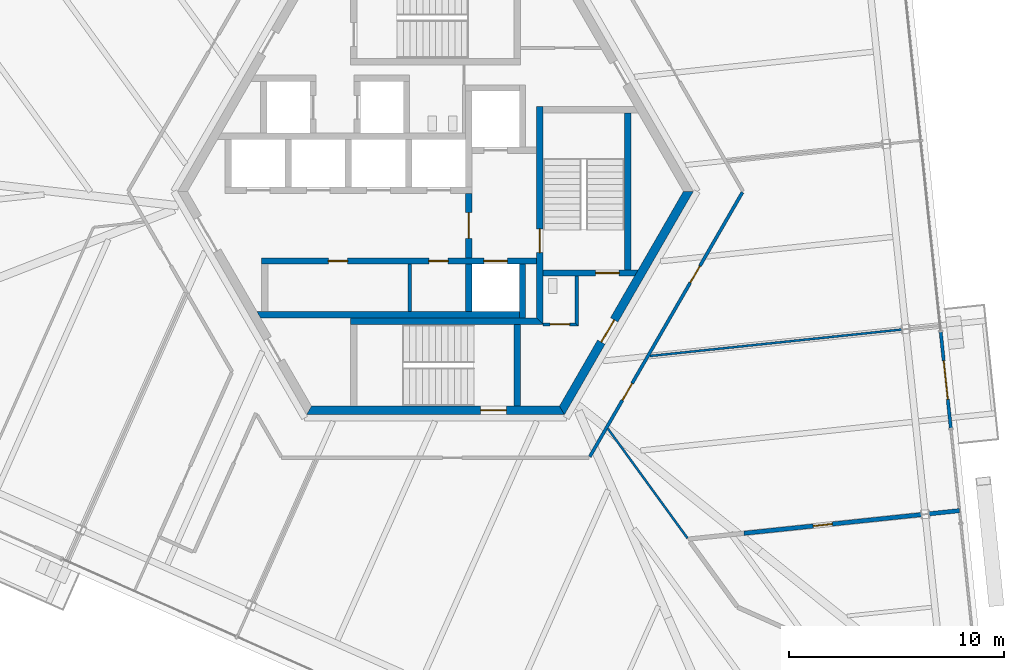
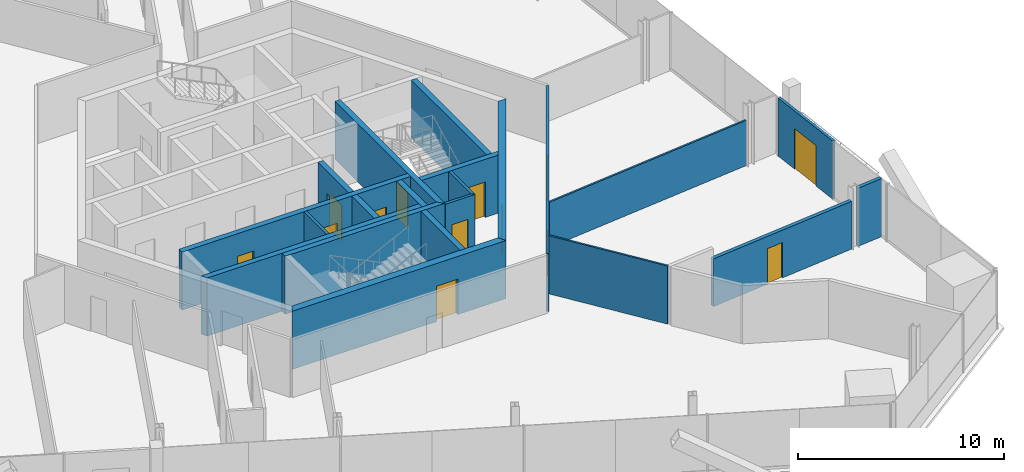
# One storey, part 11 of 17: 21 walls, 13 doors, 13 openings.
"""IFC4 building model written with IfcOpenShell, lengths in metres."""

from ifc_helpers import new_model, si_unit, direction, frame, frame_2d, origin, place, context, subcontext, project, spatial, polyline, rectangle, outline, extrude, source, transform, mapped, material, layer, layer_set, type_object, element, fill, save


model = new_model("IFC4")

# Units and contexts
model_context = context("Model", 3, precision=1e-05, world=origin(), true_north=direction((0.0, 1.0)))
body_context = subcontext(model_context, "Body", "Model", "MODEL_VIEW")
ifc_project = project(units=[si_unit("LENGTHUNIT", "METRE"), si_unit("AREAUNIT", "SQUARE_METRE"), si_unit("VOLUMEUNIT", "CUBIC_METRE"), si_unit("PLANEANGLEUNIT", "RADIAN"), si_unit("MASSUNIT", "GRAM", prefix="KILO")], contexts=[model_context])

# Site, building, storey
site_placement = place(None, origin())
site = spatial("IfcSite", under=ifc_project, at=site_placement, CompositionType="ELEMENT")
building_placement = place(site_placement, origin())
building = spatial("IfcBuilding", under=site, at=building_placement, Name="Triune Harvest Tower", CompositionType="ELEMENT")
storey_placement = place(building_placement, frame((0.0, 0.0, 62.10009765625)))
storey = spatial("IfcBuildingStorey", under=building, at=storey_placement, Name="L14", CompositionType="ELEMENT", Elevation=62.10009765625)

# Wall, opening, door
ifc_material_1 = material(Name="Gypsum board on steel studs", Category="steel")
ifc_layer_1 = layer(ifc_material_1, 0.199951171875)
ifc_layer_set_1 = layer_set([ifc_layer_1], Name="Gypsum board on steel studs")
wall_type_1 = type_object("IfcWallType", Name="Fire Wall 200 mm", PredefinedType="PARTITIONING", material=ifc_layer_set_1)
wall_1_placement = place(storey_placement, frame((14.355712890625, -15.910888671875, 0.0), z_axis=(0.0, 0.0, 1.0), x_axis=(0.994522219063, 0.104525383476, 0.0)))
wall_1 = element("IfcWall", 1, at=wall_1_placement, inside=storey, type_object=wall_type_1, Name="Partition L14 022a", PredefinedType="PARTITIONING", context=body_context, shape_type="SweptSolid", body=[
    extrude(rectangle(XDim=8.291748046875, YDim=0.199951171875, at=frame_2d((4.14599609375, 0.0))), origin(), (0.0, 0.0, 1.0), 2.82763671875),
])
opening_1_placement = place(wall_1_placement, frame((3.23828125, 0.0, 0.0)))
opening_1 = element("IfcOpeningElement", 2, at=opening_1_placement, cuts=wall_1, Name="Opening L14-001", PredefinedType="OPENING", context=body_context, shape_type="SweptSolid", body=[
    extrude(rectangle(XDim=0.89990234375, YDim=2.10009765625, at=frame_2d((0.449951171875, 1.050048828125))), frame((0.0, 0.10986328125, 0.0), z_axis=(0.0, -1.0, 0.0), x_axis=(1.0, 0.0, 0.0)), (0.0, 0.0, 1.0), 0.219970703125),
])
ifc_material_2 = material(Name="Timber and steel door set", Category="steel")
door_type_1 = type_object("IfcDoorType", Name="Single leaf door FD60 left hand 900 x 2100", OperationType="SINGLE_SWING_LEFT", PredefinedType="DOOR", material=ifc_material_2)
door_1_placement = place(opening_1_placement, origin())
door_1 = element("IfcDoor", 3, at=door_1_placement, inside=storey, type_object=door_type_1, Name="Door L14-001 Commercial Trial Kitchen 14.01", OperationType="SINGLE_SWING_LEFT", OverallHeight=2.10009765625, OverallWidth=0.89990234375, PredefinedType="DOOR", context=body_context, shape_type="SweptSolid", body=[
    extrude(rectangle(XDim=0.89990234375, YDim=2.10009765625, at=frame_2d((0.449951171875, 1.050048828125))), frame((0.0, 0.02490234375, 0.0), z_axis=(0.0, -1.0, 0.0), x_axis=(1.0, 0.0, 0.0)), (0.0, 0.0, 1.0), 0.050048828125),
])
fill(opening_1, door_1)

# Wall
ifc_material_3 = material(Name="Gypsum board on steel studs", Category="steel")
ifc_layer_2 = layer(ifc_material_3, 0.10009765625)
ifc_layer_set_2 = layer_set([ifc_layer_2], Name="Gypsum board on steel studs")
wall_type_2 = type_object("IfcWallType", Name="Partition 100 mm", PredefinedType="PARTITIONING", material=ifc_layer_set_2)
wall_2_placement = place(storey_placement, frame((9.979736328125, -7.660888671875, 0.0), z_axis=(0.0, 0.0, 1.0), x_axis=(0.994522245338, 0.10452513347, 0.0)))
element("IfcWall", 4, at=wall_2_placement, inside=storey, type_object=wall_type_2, Name="Partition L14 024", PredefinedType="PARTITIONING", context=body_context, shape_type="SweptSolid", body=[
    extrude(rectangle(XDim=11.78125, YDim=0.10009765625, at=frame_2d((5.890625, 0.0))), origin(), (0.0, 0.0, 1.0), 2.682861328125),
])

# Wall, opening, door
ifc_material_4 = material(Name="Concrete 70 MPa", Category="concrete")
ifc_layer_3 = layer(ifc_material_4, 0.39990234375)
ifc_layer_set_3 = layer_set([ifc_layer_3], Name="Concrete 70 MPa")
wall_type_3 = type_object("IfcWallType", Name="Core wall 400", PredefinedType="SHEAR", material=ifc_layer_set_3)
shared_shape_1 = source(origin(), body_context, "Body", "SweptSolid", [
    extrude(outline(polyline([(-0.115478515625, -0.199951171875), (11.884521484375, -0.199951171875), (11.653564453125, 0.199951171875), (0.115478515625, 0.199951171875), (-0.115478515625, -0.199951171875)])), origin(), (0.0, 0.0, 1.0), 3.43994140625),
])
wall_3_placement = place(storey_placement, frame((-5.884521484375, -10.1923828125, 0.0), z_axis=(0.0, 0.0, 1.0), x_axis=(1.0, 0.0, 0.0)))
wall_3 = element("IfcWall", 5, at=wall_3_placement, inside=storey, type_object=wall_type_3, Name="Hexagon 4 wall", PredefinedType="SHEAR", context=body_context, shape_type="MappedRepresentation", body=[
    mapped(shared_shape_1, transform((0.0, 0.0, 0.0), scale=1.0)),
])
opening_2_placement = place(wall_3_placement, frame((7.984619140625, 0.0, 0.0)))
opening_2 = element("IfcOpeningElement", 6, at=opening_2_placement, cuts=wall_3, Name="Opening CD-S2P", PredefinedType="OPENING", context=body_context, shape_type="SweptSolid", body=[
    extrude(rectangle(XDim=1.199951171875, YDim=2.10009765625, at=frame_2d((0.60009765625, 1.050048828125))), frame((0.0, 0.2099609375, 0.0), z_axis=(0.0, -1.0, 0.0), x_axis=(1.0, 0.0, 0.0)), (0.0, 0.0, 1.0), 0.419921875),
])
ifc_material_5 = material(Name="Steel S235", Category="steel")
door_type_2 = type_object("IfcDoorType", Name="Stair door 1200 FD120", OperationType="SINGLE_SWING_LEFT", PredefinedType="DOOR", material=ifc_material_5)
door_2_placement = place(opening_2_placement, frame((1.199951171875, 0.0, 0.0), z_axis=(0.0, 0.0, 1.0), x_axis=(-1.0, 0.0, 0.0)))
door_2 = element("IfcDoor", 7, at=door_2_placement, inside=storey, type_object=door_type_2, Name="Door CD-S2P", OperationType="SINGLE_SWING_RIGHT", OverallHeight=2.10009765625, OverallWidth=1.199951171875, PredefinedType="DOOR", context=body_context, shape_type="SweptSolid", body=[
    extrude(rectangle(XDim=1.199951171875, YDim=2.10009765625, at=frame_2d((0.60009765625, 1.050048828125))), frame((0.0, 0.02490234375, 0.0), z_axis=(0.0, -1.0, 0.0), x_axis=(1.0, 0.0, 0.0)), (0.0, 0.0, 1.0), 0.050048828125),
])
fill(opening_2, door_2)

wall_4_placement = place(storey_placement, frame((5.884521484375, -10.1923828125, 0.0), z_axis=(0.0, 0.0, 1.0), x_axis=(0.499996592174, 0.866027371285, 0.0)))
wall_4 = element("IfcWall", 8, at=wall_4_placement, inside=storey, type_object=wall_type_3, Name="Hexagon 5 wall", PredefinedType="SHEAR", context=body_context, shape_type="MappedRepresentation", body=[
    mapped(shared_shape_1, transform((0.0, 0.0, 0.0), scale=1.0)),
])
opening_3_placement = place(wall_4_placement, frame((3.66455078125, 0.0, 0.0)))
opening_3 = element("IfcOpeningElement", 9, at=opening_3_placement, cuts=wall_4, Name="Opening CD-DP", PredefinedType="OPENING", context=body_context, shape_type="SweptSolid", body=[
    extrude(rectangle(XDim=1.199951171875, YDim=2.10009765625, at=frame_2d((0.60009765625, 1.050048828125))), frame((0.0, 0.2099609375, 0.0), z_axis=(0.0, -1.0, 0.0), x_axis=(1.0, 0.0, 0.0)), (0.0, 0.0, 1.0), 0.419921875),
])
door_3_placement = place(opening_3_placement, frame((1.199951171875, 0.0, 0.0), z_axis=(0.0, 0.0, 1.0), x_axis=(-1.0, 0.0, 0.0)))
door_3 = element("IfcDoor", 10, at=door_3_placement, inside=storey, type_object=door_type_2, Name="Door CD-DP", OperationType="SINGLE_SWING_RIGHT", OverallHeight=2.10009765625, OverallWidth=1.199951171875, PredefinedType="DOOR", context=body_context, shape_type="SweptSolid", body=[
    extrude(rectangle(XDim=1.199951171875, YDim=2.10009765625, at=frame_2d((0.60009765625, 1.050048828125))), frame((0.0, 0.02490234375, 0.0), z_axis=(0.0, -1.0, 0.0), x_axis=(1.0, 0.0, 0.0)), (0.0, 0.0, 1.0), 0.050048828125),
])
fill(opening_3, door_3)

# Wall
ifc_material_6 = material(Name="Concrete 70 MPa", Category="concrete")
ifc_layer_4 = layer(ifc_material_6, 0.300048828125)
ifc_layer_set_4 = layer_set([ifc_layer_4], Name="Concrete 70 MPa")
wall_type_4 = type_object("IfcWallType", Name="Core wall 300", PredefinedType="SHEAR", material=ifc_layer_set_4)
shared_shape_2 = source(origin(), body_context, "Body", "SweptSolid", [
    extrude(rectangle(XDim=2.5, YDim=0.300048828125, at=frame_2d((1.25, 0.0))), origin(), (0.0, 0.0, 1.0), 3.43994140625),
])
wall_5_placement = place(storey_placement, frame((4.050048828125, -5.889892578125, 0.0), z_axis=(0.0, 0.0, 1.0), x_axis=(0.0, 1.0, 0.0)))
element("IfcWall", 11, at=wall_5_placement, inside=storey, type_object=wall_type_4, Name="Ff2 east wall", PredefinedType="SHEAR", context=body_context, shape_type="MappedRepresentation", body=[
    mapped(shared_shape_2, transform((0.0, 0.0, 0.0), scale=1.0)),
])

# Wall, opening, door
shared_shape_3 = source(origin(), body_context, "Body", "SweptSolid", [
    extrude(rectangle(XDim=3.0, YDim=0.300048828125, at=frame_2d((1.5, 0.0))), origin(), (0.0, 0.0, 1.0), 3.43994140625),
])
wall_6_placement = place(storey_placement, frame((1.550048828125, -3.090087890625, 0.0), z_axis=(0.0, 0.0, 1.0), x_axis=(0.0, 1.0, 0.0)))
wall_6 = element("IfcWall", 12, at=wall_6_placement, inside=storey, type_object=wall_type_4, Name="Ff lobby west wall", PredefinedType="SHEAR", context=body_context, shape_type="MappedRepresentation", body=[
    mapped(shared_shape_3, transform((0.0, 0.0, 0.0), scale=1.0)),
])
opening_4_placement = place(wall_6_placement, frame((0.89990234375, 0.0, 0.0)))
opening_4 = element("IfcOpeningElement", 13, at=opening_4_placement, cuts=wall_6, Name="Opening CD-FL", PredefinedType="OPENING", context=body_context, shape_type="SweptSolid", body=[
    extrude(rectangle(XDim=1.199951171875, YDim=2.10009765625, at=frame_2d((0.60009765625, 1.050048828125))), frame((0.0, 0.16015625, 0.0), z_axis=(0.0, -1.0, 0.0), x_axis=(1.0, 0.0, 0.0)), (0.0, 0.0, 1.0), 0.320068359375),
])
ifc_material_7 = material(Name="Steel S235", Category="steel")
door_type_3 = type_object("IfcDoorType", Name="Firefighters' lobby door 1200 FD120", OperationType="SINGLE_SWING_LEFT", PredefinedType="DOOR", material=ifc_material_7)
door_4_placement = place(opening_4_placement, frame((1.199951171875, 0.0, 0.0), z_axis=(0.0, 0.0, 1.0), x_axis=(-1.0, 0.0, 0.0)))
door_4 = element("IfcDoor", 14, at=door_4_placement, inside=storey, type_object=door_type_3, Name="Door CD-FL", OperationType="SINGLE_SWING_RIGHT", OverallHeight=2.10009765625, OverallWidth=1.199951171875, PredefinedType="DOOR", context=body_context, shape_type="SweptSolid", body=[
    extrude(rectangle(XDim=1.199951171875, YDim=2.10009765625, at=frame_2d((0.60009765625, 1.050048828125))), frame((0.0, 0.02490234375, 0.0), z_axis=(0.0, -1.0, 0.0), x_axis=(1.0, 0.0, 0.0)), (0.0, 0.0, 1.0), 0.050048828125),
])
fill(opening_4, door_4)

# Wall, openings, doors
shared_shape_4 = source(origin(), body_context, "Body", "SweptSolid", [
    extrude(rectangle(XDim=12.800048828125, YDim=0.300048828125, at=frame_2d((6.39990234375, 0.0))), origin(), (0.0, 0.0, 1.0), 3.43994140625),
])
wall_7_placement = place(storey_placement, frame((-8.10009765625, -3.239990234375, 0.0), z_axis=(0.0, 0.0, 1.0), x_axis=(1.0, 0.0, 0.0)))
wall_7 = element("IfcWall", 15, at=wall_7_placement, inside=storey, type_object=wall_type_4, Name="South front wall", PredefinedType="SHEAR", context=body_context, shape_type="MappedRepresentation", body=[
    mapped(shared_shape_4, transform((0.0, 0.0, 0.0), scale=1.0)),
])
opening_5_placement = place(wall_7_placement, frame((3.112548828125, 0.0, 0.0)))
opening_5 = element("IfcOpeningElement", 16, at=opening_5_placement, cuts=wall_7, Name="Opening CD-RS1", PredefinedType="OPENING", context=body_context, shape_type="SweptSolid", body=[
    extrude(rectangle(XDim=0.89990234375, YDim=2.10009765625, at=frame_2d((0.449951171875, 1.050048828125))), frame((0.0, 0.16015625, 0.0), z_axis=(0.0, -1.0, 0.0), x_axis=(1.0, 0.0, 0.0)), (0.0, 0.0, 1.0), 0.320068359375),
])
opening_6_placement = place(wall_7_placement, frame((7.78759765625, 0.0, 0.0)))
opening_6 = element("IfcOpeningElement", 17, at=opening_6_placement, cuts=wall_7, Name="Opening CD-RS2", PredefinedType="OPENING", context=body_context, shape_type="SweptSolid", body=[
    extrude(rectangle(XDim=0.89990234375, YDim=2.10009765625, at=frame_2d((0.449951171875, 1.050048828125))), frame((0.0, 0.16015625, 0.0), z_axis=(0.0, -1.0, 0.0), x_axis=(1.0, 0.0, 0.0)), (0.0, 0.0, 1.0), 0.320068359375),
])
opening_7_placement = place(wall_7_placement, frame((10.35009765625, 0.0, 0.0)))
opening_7 = element("IfcOpeningElement", 18, at=opening_7_placement, cuts=wall_7, Name="Opening LD-FF2-14", PredefinedType="OPENING", context=body_context, shape_type="SweptSolid", body=[
    extrude(rectangle(XDim=1.10009765625, YDim=2.10009765625, at=frame_2d((0.550048828125, 1.050048828125))), frame((0.0, 0.16015625, 0.0), z_axis=(0.0, -1.0, 0.0), x_axis=(1.0, 0.0, 0.0)), (0.0, 0.0, 1.0), 0.320068359375),
])
ifc_material_8 = material(Name="Stainless steel AISI 304", Category="steel")
door_type_4 = type_object("IfcDoorType", Name="Landing door 1100 x 2100", OperationType="DOUBLE_DOOR_SLIDING", PredefinedType="DOOR", material=ifc_material_8)
door_5_placement = place(opening_7_placement, origin())
door_5 = element("IfcDoor", 19, at=door_5_placement, inside=storey, type_object=door_type_4, Name="Door LD-FF2-14", OperationType="DOUBLE_DOOR_SLIDING", OverallHeight=2.10009765625, OverallWidth=1.10009765625, PredefinedType="DOOR", context=body_context, shape_type="SweptSolid", body=[
    extrude(rectangle(XDim=1.10009765625, YDim=2.10009765625, at=frame_2d((0.550048828125, 1.050048828125))), frame((0.0, 0.02490234375, 0.0), z_axis=(0.0, -1.0, 0.0), x_axis=(1.0, 0.0, 0.0)), (0.0, 0.0, 1.0), 0.050048828125),
])
fill(opening_7, door_5)
ifc_material_9 = material(Name="Steel S235", Category="steel")
door_type_5 = type_object("IfcDoorType", Name="Riser door 900 FD120", OperationType="SINGLE_SWING_LEFT", PredefinedType="DOOR", material=ifc_material_9)
door_6_placement = place(opening_5_placement, origin())
door_6 = element("IfcDoor", 20, at=door_6_placement, inside=storey, type_object=door_type_5, Name="Door CD-RS1", OperationType="SINGLE_SWING_LEFT", OverallHeight=2.10009765625, OverallWidth=0.89990234375, PredefinedType="DOOR", context=body_context, shape_type="SweptSolid", body=[
    extrude(rectangle(XDim=0.89990234375, YDim=2.10009765625, at=frame_2d((0.449951171875, 1.050048828125))), frame((0.0, 0.02490234375, 0.0), z_axis=(0.0, -1.0, 0.0), x_axis=(1.0, 0.0, 0.0)), (0.0, 0.0, 1.0), 0.050048828125),
])
fill(opening_5, door_6)
door_7_placement = place(opening_6_placement, origin())
door_7 = element("IfcDoor", 21, at=door_7_placement, inside=storey, type_object=door_type_5, Name="Door CD-RS2", OperationType="SINGLE_SWING_LEFT", OverallHeight=2.10009765625, OverallWidth=0.89990234375, PredefinedType="DOOR", context=body_context, shape_type="SweptSolid", body=[
    extrude(rectangle(XDim=0.89990234375, YDim=2.10009765625, at=frame_2d((0.449951171875, 1.050048828125))), frame((0.0, 0.02490234375, 0.0), z_axis=(0.0, -1.0, 0.0), x_axis=(1.0, 0.0, 0.0)), (0.0, 0.0, 1.0), 0.050048828125),
])
fill(opening_6, door_7)

# Walls
shared_shape_5 = source(origin(), body_context, "Body", "SweptSolid", [
    extrude(outline(polyline([(12.0, -0.14990234375), (-0.039794921875, -0.14990234375), (-0.212890625, 0.14990234375), (12.0, 0.14990234375), (12.0, -0.14990234375)])), origin(), (0.0, 0.0, 1.0), 3.43994140625),
])
wall_8_placement = place(storey_placement, frame((-8.10009765625, -5.739990234375, 0.0), z_axis=(0.0, 0.0, 1.0), x_axis=(1.0, 0.0, 0.0)))
element("IfcWall", 22, at=wall_8_placement, inside=storey, type_object=wall_type_4, Name="South back wall", PredefinedType="SHEAR", context=body_context, shape_type="MappedRepresentation", body=[
    mapped(shared_shape_5, transform((0.0, 0.0, 0.0), scale=1.0)),
])
shared_shape_6 = source(origin(), body_context, "Body", "SweptSolid", [
    extrude(rectangle(XDim=2.2001953125, YDim=0.300048828125, at=frame_2d((1.10009765625, 0.0))), origin(), (0.0, 0.0, 1.0), 3.43994140625),
])
wall_9_placement = place(storey_placement, frame((1.550048828125, -5.590087890625, 0.0), z_axis=(0.0, 0.0, 1.0), x_axis=(0.0, 1.0, 0.0)))
element("IfcWall", 23, at=wall_9_placement, inside=storey, type_object=wall_type_4, Name="Ff2 west wall", PredefinedType="SHEAR", context=body_context, shape_type="MappedRepresentation", body=[
    mapped(shared_shape_6, transform((0.0, 0.0, 0.0), scale=1.0)),
])

# Wall, opening, door
shared_shape_7 = source(origin(), body_context, "Body", "SweptSolid", [
    extrude(outline(polyline([(-0.14990234375, -0.14990234375), (9.989990234375, -0.14990234375), (9.989990234375, 0.14990234375), (0.14990234375, 0.14990234375), (-0.14990234375, -0.14990234375)])), origin(), (0.0, 0.0, 1.0), 3.43994140625),
])
wall_10_placement = place(storey_placement, frame((4.85009765625, -6.0400390625, 0.0), z_axis=(0.0, 0.0, 1.0), x_axis=(0.0, 1.0, 0.0)))
wall_10 = element("IfcWall", 24, at=wall_10_placement, inside=storey, type_object=wall_type_4, Name="Stair e west wall", PredefinedType="SHEAR", context=body_context, shape_type="MappedRepresentation", body=[
    mapped(shared_shape_7, transform((0.0, 0.0, 0.0), scale=1.0)),
])
opening_8_placement = place(wall_10_placement, frame((3.18994140625, 0.0, 0.0)))
opening_8 = element("IfcOpeningElement", 25, at=opening_8_placement, cuts=wall_10, Name="Opening CD-S3L", PredefinedType="OPENING", context=body_context, shape_type="SweptSolid", body=[
    extrude(rectangle(XDim=1.10009765625, YDim=2.10009765625, at=frame_2d((0.550048828125, 1.050048828125))), frame((0.0, 0.16015625, 0.0), z_axis=(0.0, -1.0, 0.0), x_axis=(1.0, 0.0, 0.0)), (0.0, 0.0, 1.0), 0.320068359375),
])
ifc_material_10 = material(Name="Steel S235", Category="steel")
door_type_6 = type_object("IfcDoorType", Name="Stair door 1100 FD120", OperationType="SINGLE_SWING_LEFT", PredefinedType="DOOR", material=ifc_material_10)
door_8_placement = place(opening_8_placement, frame((1.10009765625, 0.0, 0.0), z_axis=(0.0, 0.0, 1.0), x_axis=(-1.0, 0.0, 0.0)))
door_8 = element("IfcDoor", 26, at=door_8_placement, inside=storey, type_object=door_type_6, Name="Door CD-S3L", OperationType="SINGLE_SWING_RIGHT", OverallHeight=2.10009765625, OverallWidth=1.10009765625, PredefinedType="DOOR", context=body_context, shape_type="SweptSolid", body=[
    extrude(rectangle(XDim=1.10009765625, YDim=2.10009765625, at=frame_2d((0.550048828125, 1.050048828125))), frame((0.0, 0.02490234375, 0.0), z_axis=(0.0, -1.0, 0.0), x_axis=(1.0, 0.0, 0.0)), (0.0, 0.0, 1.0), 0.050048828125),
])
fill(opening_8, door_8)

shared_shape_8 = source(origin(), body_context, "Body", "SweptSolid", [
    extrude(outline(polyline([(0.0, -0.14990234375), (0.0, 0.14990234375), (4.43310546875, 0.14990234375), (4.260009765625, -0.14990234375), (0.0, -0.14990234375)])), origin(), (0.0, 0.0, 1.0), 3.43994140625),
])
wall_11_placement = place(storey_placement, frame((5.0, -3.800048828125, 0.0), z_axis=(0.0, 0.0, 1.0), x_axis=(1.0, 0.0, 0.0)))
wall_11 = element("IfcWall", 27, at=wall_11_placement, inside=storey, type_object=wall_type_4, Name="Stair e south wall", PredefinedType="SHEAR", context=body_context, shape_type="MappedRepresentation", body=[
    mapped(shared_shape_8, transform((0.0, 0.0, 0.0), scale=1.0)),
])
opening_9_placement = place(wall_11_placement, frame((2.449951171875, 0.0, 0.0)))
opening_9 = element("IfcOpeningElement", 28, at=opening_9_placement, cuts=wall_11, Name="Opening CD-S3D", PredefinedType="OPENING", context=body_context, shape_type="SweptSolid", body=[
    extrude(rectangle(XDim=1.10009765625, YDim=2.10009765625, at=frame_2d((0.550048828125, 1.050048828125))), frame((0.0, 0.16015625, 0.0), z_axis=(0.0, -1.0, 0.0), x_axis=(1.0, 0.0, 0.0)), (0.0, 0.0, 1.0), 0.320068359375),
])
door_9_placement = place(opening_9_placement, frame((1.10009765625, 0.0, 0.0), z_axis=(0.0, 0.0, 1.0), x_axis=(-1.0, 0.0, 0.0)))
door_9 = element("IfcDoor", 29, at=door_9_placement, inside=storey, type_object=door_type_6, Name="Door CD-S3D", OperationType="SINGLE_SWING_RIGHT", OverallHeight=2.10009765625, OverallWidth=1.10009765625, PredefinedType="DOOR", context=body_context, shape_type="SweptSolid", body=[
    extrude(rectangle(XDim=1.10009765625, YDim=2.10009765625, at=frame_2d((0.550048828125, 1.050048828125))), frame((0.0, 0.02490234375, 0.0), z_axis=(0.0, -1.0, 0.0), x_axis=(1.0, 0.0, 0.0)), (0.0, 0.0, 1.0), 0.050048828125),
])
fill(opening_9, door_9)

# Walls
shared_shape_9 = source(origin(), body_context, "Body", "SweptSolid", [
    extrude(rectangle(XDim=7.2998046875, YDim=0.300048828125, at=frame_2d((3.64990234375, 0.0))), origin(), (0.0, 0.0, 1.0), 3.43994140625),
])
wall_12_placement = place(storey_placement, frame((8.949951171875, -3.64990234375, 0.0), z_axis=(0.0, 0.0, 1.0), x_axis=(0.0, 1.0, 0.0)))
element("IfcWall", 30, at=wall_12_placement, inside=storey, type_object=wall_type_4, Name="Stair e east wall", PredefinedType="SHEAR", context=body_context, shape_type="MappedRepresentation", body=[
    mapped(shared_shape_9, transform((0.0, 0.0, 0.0), scale=1.0)),
])
shared_shape_10 = source(origin(), body_context, "Body", "SweptSolid", [
    extrude(outline(polyline([(0.0, -0.14990234375), (8.949951171875, -0.14990234375), (8.64990234375, 0.14990234375), (0.0, 0.14990234375), (0.0, -0.14990234375)])), origin(), (0.0, 0.0, 1.0), 3.43994140625),
])
wall_13_placement = place(storey_placement, frame((-3.949951171875, -6.0400390625, 0.0), z_axis=(0.0, 0.0, 1.0), x_axis=(1.0, 0.0, 0.0)))
element("IfcWall", 31, at=wall_13_placement, inside=storey, type_object=wall_type_4, Name="Stair s north wall", PredefinedType="SHEAR", context=body_context, shape_type="MappedRepresentation", body=[
    mapped(shared_shape_10, transform((0.0, 0.0, 0.0), scale=1.0)),
])
shared_shape_11 = source(origin(), body_context, "Body", "SweptSolid", [
    extrude(outline(polyline([(3.800048828125, -0.14990234375), (-0.00439453125, -0.14990234375), (-0.00439453125, 0.14990234375), (3.800048828125, 0.14990234375), (3.800048828125, -0.14990234375)])), origin(), (0.0, 0.0, 1.0), 3.43994140625),
])
wall_14_placement = place(storey_placement, frame((3.800048828125, -9.989990234375, 0.0), z_axis=(0.0, 0.0, 1.0), x_axis=(0.0, 1.0, 0.0)))
element("IfcWall", 32, at=wall_14_placement, inside=storey, type_object=wall_type_4, Name="Stair s east wall", PredefinedType="SHEAR", context=body_context, shape_type="MappedRepresentation", body=[
    mapped(shared_shape_11, transform((0.0, 0.0, 0.0), scale=1.0)),
])

# Wall, opening, door
ifc_material_11 = material(Name="Concrete masonry unit", Category="masonry")
ifc_layer_5 = layer(ifc_material_11, 0.14990234375)
ifc_layer_set_5 = layer_set([ifc_layer_5], Name="Concrete masonry unit")
wall_type_5 = type_object("IfcWallType", Name="Block partition 150 unrated", PredefinedType="PARTITIONING", material=ifc_layer_set_5)
shared_shape_12 = source(origin(), body_context, "Body", "SweptSolid", [
    extrude(outline(polyline([(0.0, -0.074951171875), (1.64990234375, -0.074951171875), (1.5, 0.074951171875), (0.0, 0.074951171875), (0.0, -0.074951171875)])), origin(), (0.0, 0.0, 1.0), 3.43994140625),
])
wall_15_placement = place(storey_placement, frame((5.0, -6.18994140625, 0.0), z_axis=(0.0, 0.0, 1.0), x_axis=(1.0, 0.0, 0.0)))
wall_15 = element("IfcWall", 33, at=wall_15_placement, inside=storey, type_object=wall_type_5, Name="Wc acc south wall", PredefinedType="PARTITIONING", context=body_context, shape_type="MappedRepresentation", body=[
    mapped(shared_shape_12, transform((0.0, 0.0, 0.0), scale=1.0)),
])
opening_10_placement = place(wall_15_placement, frame((0.33740234375, 0.0, 0.0)))
opening_10 = element("IfcOpeningElement", 34, at=opening_10_placement, cuts=wall_15, Name="Opening CD-WA", PredefinedType="OPENING", context=body_context, shape_type="SweptSolid", body=[
    extrude(rectangle(XDim=0.89990234375, YDim=2.10009765625, at=frame_2d((0.449951171875, 1.050048828125))), frame((0.0, 0.0849609375, 0.0), z_axis=(0.0, -1.0, 0.0), x_axis=(1.0, 0.0, 0.0)), (0.0, 0.0, 1.0), 0.169921875),
])
ifc_material_12 = material(Name="Timber C24", Category="wood")
door_type_7 = type_object("IfcDoorType", Name="WC door 900", OperationType="SINGLE_SWING_LEFT", PredefinedType="DOOR", material=ifc_material_12)
door_10_placement = place(opening_10_placement, origin())
door_10 = element("IfcDoor", 35, at=door_10_placement, inside=storey, type_object=door_type_7, Name="Door CD-WA", OperationType="SINGLE_SWING_LEFT", OverallHeight=2.10009765625, OverallWidth=0.89990234375, PredefinedType="DOOR", context=body_context, shape_type="SweptSolid", body=[
    extrude(rectangle(XDim=0.89990234375, YDim=2.10009765625, at=frame_2d((0.449951171875, 1.050048828125))), frame((0.0, 0.02490234375, 0.0), z_axis=(0.0, -1.0, 0.0), x_axis=(1.0, 0.0, 0.0)), (0.0, 0.0, 1.0), 0.050048828125),
])
fill(opening_10, door_10)

# Walls
shared_shape_13 = source(origin(), body_context, "Body", "SweptSolid", [
    extrude(outline(polyline([(-0.074951171875, -0.074951171875), (2.239990234375, -0.074951171875), (2.239990234375, 0.074951171875), (0.074951171875, 0.074951171875), (-0.074951171875, -0.074951171875)])), origin(), (0.0, 0.0, 1.0), 3.43994140625),
])
wall_16_placement = place(storey_placement, frame((6.574951171875, -6.18994140625, 0.0), z_axis=(0.0, 0.0, 1.0), x_axis=(0.0, 1.0, 0.0)))
element("IfcWall", 36, at=wall_16_placement, inside=storey, type_object=wall_type_5, Name="Wc acc east wall", PredefinedType="PARTITIONING", context=body_context, shape_type="MappedRepresentation", body=[
    mapped(shared_shape_13, transform((0.0, 0.0, 0.0), scale=1.0)),
])
ifc_material_13 = material(Name="Concrete masonry unit", Category="masonry")
ifc_layer_6 = layer(ifc_material_13, 0.14990234375)
ifc_layer_set_6 = layer_set([ifc_layer_6], Name="Concrete masonry unit")
wall_type_6 = type_object("IfcWallType", Name="Block partition 150", PredefinedType="PARTITIONING", material=ifc_layer_set_6)
shared_shape_14 = source(origin(), body_context, "Body", "SweptSolid", [
    extrude(rectangle(XDim=2.2001953125, YDim=0.14990234375, at=frame_2d((1.10009765625, 0.0))), origin(), (0.0, 0.0, 1.0), 3.43994140625),
])
wall_17_placement = place(storey_placement, frame((-1.199951171875, -5.590087890625, 0.0), z_axis=(0.0, 0.0, 1.0), x_axis=(0.0, 1.0, 0.0)))
element("IfcWall", 37, at=wall_17_placement, inside=storey, type_object=wall_type_6, Name="Row s part 1 wall", PredefinedType="PARTITIONING", context=body_context, shape_type="MappedRepresentation", body=[
    mapped(shared_shape_14, transform((0.0, 0.0, 0.0), scale=1.0)),
])

# Wall, opening, door
ifc_material_14 = material(Name="Aluminium bronze anodised", Category="aluminium")
ifc_layer_7 = layer(ifc_material_14, 0.14990234375)
ifc_layer_set_7 = layer_set([ifc_layer_7], Name="Aluminium bronze anodised")
wall_type_7 = type_object("IfcWallType", Name="WW-2 balcony window wall", PredefinedType="ELEMENTEDWALL", material=ifc_layer_set_7)
shared_shape_15 = source(origin(), body_context, "Body", "SweptSolid", [
    extrude(rectangle(XDim=4.485595703125, YDim=0.14990234375, at=frame_2d((2.24267578125, 0.0))), origin(), (0.0, 0.0, 1.0), 3.43994140625),
])
wall_18_placement = place(storey_placement, frame((23.51123046875, -6.549560546875, 0.0), z_axis=(0.0, 0.0, 1.0), x_axis=(0.104503452586, -0.994524523779, 0.0)))
wall_18 = element("IfcWall", 38, at=wall_18_placement, inside=storey, type_object=wall_type_7, Name="WW-2 B2-F1 L14.4", PredefinedType="ELEMENTEDWALL", context=body_context, shape_type="MappedRepresentation", body=[
    mapped(shared_shape_15, transform((0.0, 0.0, 0.0), scale=1.0)),
])
opening_11_placement = place(wall_18_placement, frame((1.3427734375, 0.0, 0.0)))
opening_11 = element("IfcOpeningElement", 39, at=opening_11_placement, cuts=wall_18, Name="Opening L14-E01", PredefinedType="OPENING", context=body_context, shape_type="SweptSolid", body=[
    extrude(rectangle(XDim=1.800048828125, YDim=2.39990234375, at=frame_2d((0.89990234375, 1.199951171875))), frame((0.0, 0.0849609375, 0.0), z_axis=(0.0, -1.0, 0.0), x_axis=(1.0, 0.0, 0.0)), (0.0, 0.0, 1.0), 0.169921875),
])
ifc_material_15 = material(Name="Glass", Category="glass")
door_type_8 = type_object("IfcDoorType", Name="DB-1 balcony door 1800 x 2400", OperationType="DOUBLE_DOOR_SINGLE_SWING", PredefinedType="DOOR", material=ifc_material_15)
door_11_placement = place(opening_11_placement, origin())
door_11 = element("IfcDoor", 40, at=door_11_placement, inside=storey, type_object=door_type_8, Name="Door L14-E01", OperationType="DOUBLE_DOOR_SINGLE_SWING", OverallHeight=2.39990234375, OverallWidth=1.800048828125, PredefinedType="DOOR", context=body_context, shape_type="SweptSolid", body=[
    extrude(rectangle(XDim=1.800048828125, YDim=2.39990234375, at=frame_2d((0.89990234375, 1.199951171875))), frame((0.0, 0.02490234375, 0.0), z_axis=(0.0, -1.0, 0.0), x_axis=(1.0, 0.0, 0.0)), (0.0, 0.0, 1.0), 0.050048828125),
])
fill(opening_11, door_11)

# Walls
shared_shape_16 = source(origin(), body_context, "Body", "SweptSolid", [
    extrude(rectangle(XDim=6.3095703125, YDim=0.10009765625, at=frame_2d((3.15478515625, 0.0))), origin(), (0.0, 0.0, 1.0), 3.43994140625),
])
wall_19_placement = place(storey_placement, frame((8.020263671875, -11.0390625, 0.0), z_axis=(0.0, 0.0, 1.0), x_axis=(0.587796618886, -0.80900873594, 0.0)))
element("IfcWall", 41, at=wall_19_placement, inside=storey, type_object=wall_type_2, Name="Partition L14 004", PredefinedType="PARTITIONING", context=body_context, shape_type="MappedRepresentation", body=[
    mapped(shared_shape_16, transform((0.0, 0.0, 0.0), scale=1.0)),
])
shared_shape_17 = source(origin(), body_context, "Body", "SweptSolid", [
    extrude(rectangle(XDim=1.41845703125, YDim=0.199951171875, at=frame_2d((0.709228515625, 0.0))), origin(), (0.0, 0.0, 1.0), 3.43994140625),
])
wall_20_placement = place(storey_placement, frame((22.9736328125, -15.00537109375, 0.0), z_axis=(0.0, 0.0, 1.0), x_axis=(0.994509224768, 0.10464894577, 0.0)))
element("IfcWall", 42, at=wall_20_placement, inside=storey, type_object=wall_type_1, Name="Partition L14 023", PredefinedType="PARTITIONING", context=body_context, shape_type="MappedRepresentation", body=[
    mapped(shared_shape_17, transform((0.0, 0.0, 0.0), scale=1.0)),
])

# Wall, openings, doors
ifc_material_16 = material(Name="Gypsum board on steel studs", Category="steel")
ifc_layer_8 = layer(ifc_material_16, 0.14990234375)
ifc_layer_set_8 = layer_set([ifc_layer_8], Name="Gypsum board on steel studs")
wall_type_8 = type_object("IfcWallType", Name="Fire Partition 150 mm", PredefinedType="PARTITIONING", material=ifc_layer_set_8)
shared_shape_18 = source(origin(), body_context, "Body", "SweptSolid", [
    extrude(rectangle(XDim=14.208740234375, YDim=0.14990234375, at=frame_2d((7.1044921875, 0.0))), origin(), (0.0, 0.0, 1.0), 3.43994140625),
])
wall_21_placement = place(storey_placement, frame((7.179931640625, -12.3486328125, 0.0), z_axis=(0.0, 0.0, 1.0), x_axis=(0.500005048139, 0.86602248922, 0.0)))
wall_21 = element("IfcWall", 43, at=wall_21_placement, inside=storey, type_object=wall_type_8, Name="Partition L14 030", PredefinedType="PARTITIONING", context=body_context, shape_type="MappedRepresentation", body=[
    mapped(shared_shape_18, transform((0.0, 0.0, 0.0), scale=1.0)),
])
opening_12_placement = place(wall_21_placement, frame((3.036865234375, 0.0, 0.0)))
opening_12 = element("IfcOpeningElement", 44, at=opening_12_placement, cuts=wall_21, Name="Opening L14-002", PredefinedType="OPENING", context=body_context, shape_type="SweptSolid", body=[
    extrude(rectangle(XDim=0.89990234375, YDim=2.10009765625, at=frame_2d((0.449951171875, 1.050048828125))), frame((0.0, 0.0849609375, 0.0), z_axis=(0.0, -1.0, 0.0), x_axis=(1.0, 0.0, 0.0)), (0.0, 0.0, 1.0), 0.169921875),
])
opening_13_placement = place(wall_21_placement, frame((9.350830078125, 0.0, 0.0)))
opening_13 = element("IfcOpeningElement", 45, at=opening_13_placement, cuts=wall_21, Name="Opening L14-003", PredefinedType="OPENING", context=body_context, shape_type="SweptSolid", body=[
    extrude(rectangle(XDim=0.89990234375, YDim=2.10009765625, at=frame_2d((0.449951171875, 1.050048828125))), frame((0.0, 0.0849609375, 0.0), z_axis=(0.0, -1.0, 0.0), x_axis=(1.0, 0.0, 0.0)), (0.0, 0.0, 1.0), 0.169921875),
])
ifc_material_17 = material(Name="Timber and steel door set", Category="steel")
door_type_9 = type_object("IfcDoorType", Name="Single leaf door FD30 left hand 900 x 2100", OperationType="SINGLE_SWING_LEFT", PredefinedType="DOOR", material=ifc_material_17)
door_12_placement = place(opening_13_placement, origin())
door_12 = element("IfcDoor", 46, at=door_12_placement, inside=storey, type_object=door_type_9, Name="Door L14-003 Project Room 14.03", OperationType="SINGLE_SWING_LEFT", OverallHeight=2.10009765625, OverallWidth=0.89990234375, PredefinedType="DOOR", context=body_context, shape_type="SweptSolid", body=[
    extrude(rectangle(XDim=0.89990234375, YDim=2.10009765625, at=frame_2d((0.449951171875, 1.050048828125))), frame((0.0, 0.02490234375, 0.0), z_axis=(0.0, -1.0, 0.0), x_axis=(1.0, 0.0, 0.0)), (0.0, 0.0, 1.0), 0.050048828125),
])
fill(opening_13, door_12)
ifc_material_18 = material(Name="Timber and steel door set", Category="steel")
door_type_10 = type_object("IfcDoorType", Name="Single leaf door FD30 right hand 900 x 2100", OperationType="SINGLE_SWING_RIGHT", PredefinedType="DOOR", material=ifc_material_18)
door_13_placement = place(opening_12_placement, origin())
door_13 = element("IfcDoor", 47, at=door_13_placement, inside=storey, type_object=door_type_10, Name="Door L14-002 Open Office 14.02", OperationType="SINGLE_SWING_RIGHT", OverallHeight=2.10009765625, OverallWidth=0.89990234375, PredefinedType="DOOR", context=body_context, shape_type="SweptSolid", body=[
    extrude(rectangle(XDim=0.89990234375, YDim=2.10009765625, at=frame_2d((0.449951171875, 1.050048828125))), frame((0.0, 0.02490234375, 0.0), z_axis=(0.0, -1.0, 0.0), x_axis=(1.0, 0.0, 0.0)), (0.0, 0.0, 1.0), 0.050048828125),
])
fill(opening_12, door_13)

save(model, "model.ifc")
